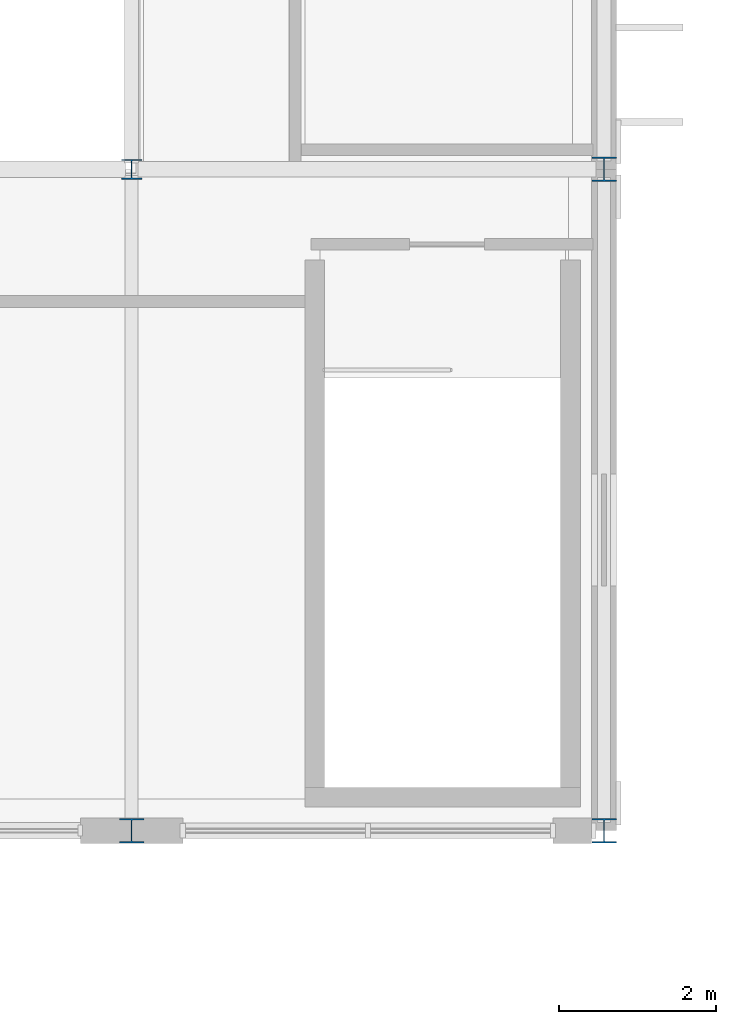
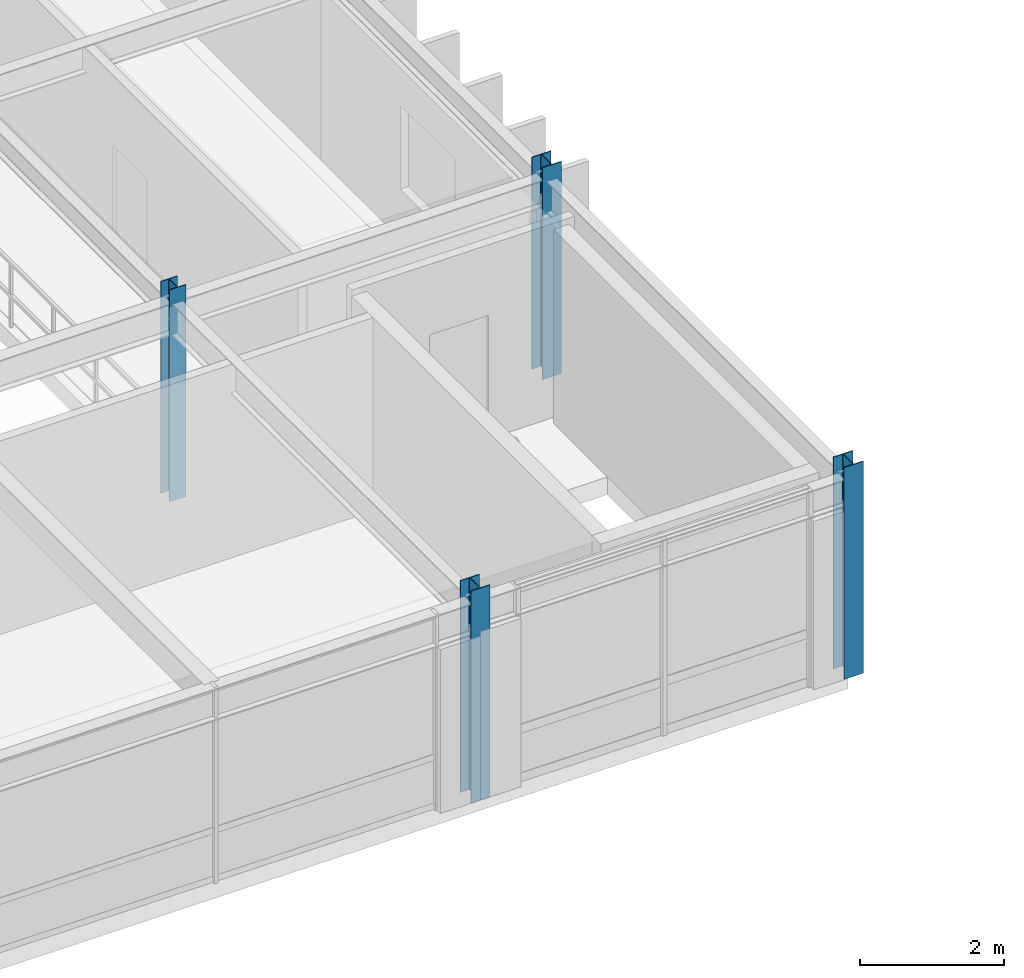
# One storey, part 5 of 88: 4 columns.
"""IFC4 building model written with IfcOpenShell, lengths in metres."""

from ifc_helpers import new_model, si_unit, direction, frame, origin, origin_2d, place, context, subcontext, project, spatial, i_section, extrude, material, material_profile, profile_set, type_object, element, save


model = new_model("IFC4")

# Units and contexts
model_context = context("Model", 3, precision=1e-05, world=origin(), true_north=direction((0.0, 1.0)))
body_context = subcontext(model_context, "Body", "Model", "MODEL_VIEW")
ifc_project = project(units=[si_unit("LENGTHUNIT", "METRE"), si_unit("AREAUNIT", "SQUARE_METRE"), si_unit("VOLUMEUNIT", "CUBIC_METRE"), si_unit("PLANEANGLEUNIT", "RADIAN"), si_unit("MASSUNIT", "GRAM", prefix="KILO"), si_unit("THERMODYNAMICTEMPERATUREUNIT", "KELVIN")], contexts=[model_context])

# Site, building, storey
site_placement = place(None, origin())
site = spatial("IfcSite", under=ifc_project, at=site_placement, CompositionType="ELEMENT")
building_placement = place(site_placement, origin())
building = spatial("IfcBuilding", under=site, at=building_placement, Name="Thalorik Housing Commons", CompositionType="ELEMENT")
storey_placement = place(building_placement, frame((0.0, 0.0, 4.5)))
storey = spatial("IfcBuildingStorey", under=building, at=storey_placement, Name="L01", CompositionType="ELEMENT", Elevation=4.5)

# Columns
ifc_material = material(Name="Steel S355", Category="steel")
ifc_material_profile_1 = material_profile(ifc_material, i_section(OverallWidth=0.260009765625, OverallDepth=0.25390625, WebThickness=0.014404296875, FlangeThickness=0.014404296875, FilletRadius=0.010009765625, at=origin_2d()), Name="HP250x85", Category="steel")
ifc_profile_set_1 = profile_set([ifc_material_profile_1], Name="Steel S355")
column_type_1 = type_object("IfcColumnType", Name="STR-COL-HP250", PredefinedType="COLUMN", material=ifc_profile_set_1)
column_placement = place(storey_placement, frame((109.199951171875, 66.0, 0.0), z_axis=(0.0, 0.0, 1.0), x_axis=(1.0, 0.0, 0.0)))
element("IfcColumn", 1, at=column_placement, inside=storey, type_object=column_type_1, Name="L01 Column SC-250", PredefinedType="COLUMN", context=body_context, shape_type="SweptSolid", body=[
    extrude(i_section(OverallWidth=0.260009765625, OverallDepth=0.25390625, WebThickness=0.014404296875, FlangeThickness=0.014404296875, FilletRadius=0.010009765625, at=origin_2d()), origin(), (0.0, 0.0, 1.0), 3.60009765625),
])
ifc_material_profile_2 = material_profile(ifc_material, i_section(OverallWidth=0.31005859375, OverallDepth=0.30810546875, WebThickness=0.015380859375, FlangeThickness=0.015380859375, FilletRadius=0.011962890625, at=origin_2d()), Name="HP310x110", Category="steel")
ifc_profile_set_2 = profile_set([ifc_material_profile_2], Name="Steel S355")
column_type_2 = type_object("IfcColumnType", Name="STR-COL-HP310", PredefinedType="COLUMN", material=ifc_profile_set_2)
for number, where, z_axis, x_axis, name in (
    (2, (109.199951171875, 57.60009765625, 0.0), (0.0, 0.0, 1.0), (1.0, 0.0, 0.0), "L01 Column SC-310"),
    (3, (115.199951171875, 57.60009765625, 0.0), (0.0, 0.0, 1.0), (1.0, 0.0, 0.0), "L01 Column SC-310"),
    (4, (115.199951171875, 66.0, 0.0), (0.0, 0.0, 1.0), (1.0, 0.0, 0.0), "L01 Column SC-310"),
):
    element("IfcColumn", number, at=place(storey_placement, frame(where, z_axis=z_axis, x_axis=x_axis)), inside=storey, type_object=column_type_2, Name=name, PredefinedType="COLUMN", context=body_context, shape_type="SweptSolid", body=[
        extrude(i_section(OverallWidth=0.31005859375, OverallDepth=0.30810546875, WebThickness=0.015380859375, FlangeThickness=0.015380859375, FilletRadius=0.011962890625, at=origin_2d()), origin(), (0.0, 0.0, 1.0), 3.60009765625),
    ])

save(model, "model.ifc")
